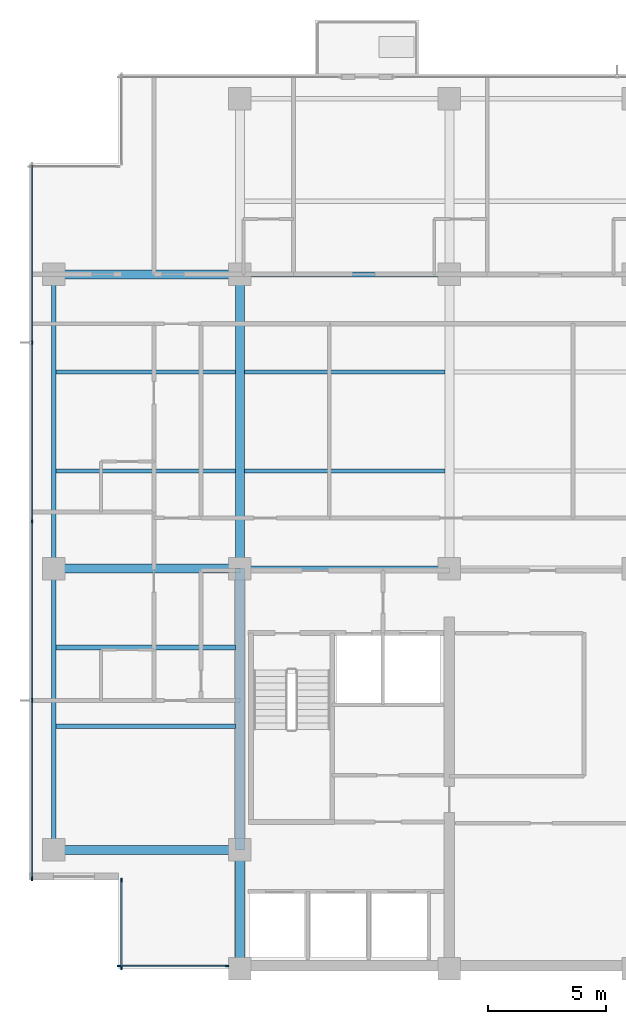
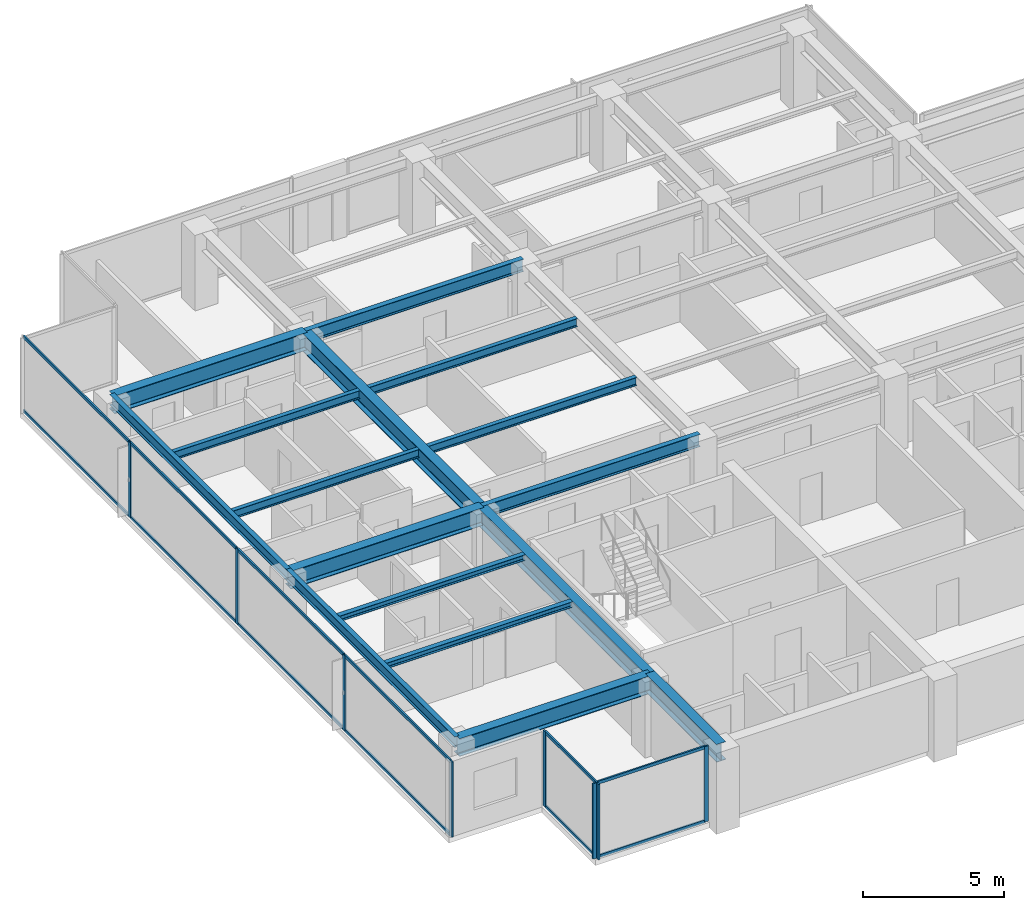
# One storey, part 2 of 14: 20 members, 16 beams, 3 elements without a shape of their own.
"""IFC4 building model written with IfcOpenShell, lengths in metres."""

from ifc_helpers import new_model, si_unit, direction, frame, origin, origin_2d, place, context, subcontext, project, spatial, rectangle, i_section, extrude, material, layer, layer_set, material_profile, profile_set, type_object, element, aggregate, save


model = new_model("IFC4")

# Units and contexts
model_context = context("Model", 3, precision=1e-05, world=origin(), true_north=direction((0.0, 1.0)))
body_context = subcontext(model_context, "Body", "Model", "MODEL_VIEW")
ifc_project = project(units=[si_unit("LENGTHUNIT", "METRE"), si_unit("AREAUNIT", "SQUARE_METRE"), si_unit("VOLUMEUNIT", "CUBIC_METRE"), si_unit("PLANEANGLEUNIT", "RADIAN"), si_unit("MASSUNIT", "GRAM", prefix="KILO")], contexts=[model_context])

# Site, building, storey
site_placement = place(None, origin())
site = spatial("IfcSite", under=ifc_project, at=site_placement, CompositionType="ELEMENT")
building_placement = place(site_placement, origin())
building = spatial("IfcBuilding", under=site, at=building_placement, Name="Qalmaran Belvedere Hotel", CompositionType="ELEMENT")
storey_placement = place(building_placement, frame((0.0, 0.0, 207.39990234375)))
storey = spatial("IfcBuildingStorey", under=building, at=storey_placement, Name="L52", CompositionType="ELEMENT", Elevation=207.39990234375)

# Beams
ifc_material_1 = material(Name="Steel S355JR", Category="steel")
ifc_material_profile_1 = material_profile(ifc_material_1, i_section(OverallWidth=0.201904296875, OverallDepth=0.2470703125, WebThickness=0.00732421875, FlangeThickness=0.010986328125, FilletRadius=0.011962890625, at=origin_2d()), Name="W250X49")
ifc_profile_set_1 = profile_set([ifc_material_profile_1], Name="Steel S355JR")
beam_type_1 = type_object("IfcBeamType", Name="BM-JST-W250X49", PredefinedType="JOIST", material=ifc_profile_set_1)
for number, where, z_axis, x_axis, name in (
    (1, (12.493896484375, 13.800048828125, 3.13671875), (1.0, 0.0, 0.0), (0.0, 1.0, 0.0), "L52 West Wing Joist 038"),
    (2, (12.493896484375, 17.14990234375, 3.13671875), (1.0, 0.0, 0.0), (0.0, 1.0, 0.0), "L52 West Wing Joist 040"),
):
    element("IfcBeam", number, at=place(storey_placement, frame(where, z_axis=z_axis, x_axis=x_axis)), inside=storey, type_object=beam_type_1, Name=name, PredefinedType="JOIST", context=body_context, shape_type="SweptSolid", body=[
        extrude(i_section(OverallWidth=0.201904296875, OverallDepth=0.2470703125, WebThickness=0.00732421875, FlangeThickness=0.010986328125, FilletRadius=0.011962890625, at=origin_2d()), origin(), (0.0, 0.0, 1.0), 7.61767578125),
    ])
ifc_material_profile_2 = material_profile(ifc_material_1, i_section(OverallWidth=0.381103515625, OverallDepth=0.77294921875, WebThickness=0.0166015625, FlangeThickness=0.027099609375, FilletRadius=0.02197265625, at=origin_2d()), Name="W760X257")
ifc_profile_set_2 = profile_set([ifc_material_profile_2], Name="Steel S355JR")
beam_type_2 = type_object("IfcBeamType", Name="BM-PG4-W760X257", PredefinedType="USERDEFINED", material=ifc_profile_set_2)
beam_1_placement = place(storey_placement, frame((20.300048828125, 20.5, 2.87353515625), z_axis=(0.0, 1.0, 0.0), x_axis=(-1.0, 0.0, 0.0)))
element("IfcBeam", 3, at=beam_1_placement, inside=storey, type_object=beam_type_2, Name="L52 Mid-Plate N-S Girder 14", ObjectType="GIRDER", PredefinedType="USERDEFINED", context=body_context, shape_type="SweptSolid", body=[
    extrude(i_section(OverallWidth=0.381103515625, OverallDepth=0.77294921875, WebThickness=0.0166015625, FlangeThickness=0.027099609375, FilletRadius=0.02197265625, at=origin_2d()), origin(), (0.0, 0.0, 1.0), 12.5),
])
for number, where, z_axis, x_axis, name in (
    (4, (12.39990234375, 8.550048828125, 2.87353515625), (1.0, 0.0, 0.0), (0.0, 1.0, 0.0), "L52 West Wing Girder 22"),
    (5, (12.39990234375, 20.5, 2.87353515625), (1.0, 0.0, 0.0), (0.0, 1.0, 0.0), "L52 West Wing Girder 23"),
    (6, (12.39990234375, 33.0, 2.87353515625), (1.0, 0.0, 0.0), (0.0, 1.0, 0.0), "L52 West Wing Girder 24"),
):
    element("IfcBeam", number, at=place(storey_placement, frame(where, z_axis=z_axis, x_axis=x_axis)), inside=storey, type_object=beam_type_2, Name=name, ObjectType="GIRDER", PredefinedType="USERDEFINED", context=body_context, shape_type="SweptSolid", body=[
        extrude(i_section(OverallWidth=0.381103515625, OverallDepth=0.77294921875, WebThickness=0.0166015625, FlangeThickness=0.027099609375, FilletRadius=0.02197265625, at=origin_2d()), origin(), (0.0, 0.0, 1.0), 7.900146484375),
    ])
beam_2_placement = place(storey_placement, frame((20.300048828125, 3.5, 2.87353515625), z_axis=(0.0, 1.0, 0.0), x_axis=(-1.0, 0.0, 0.0)))
element("IfcBeam", 7, at=beam_2_placement, inside=storey, type_object=beam_type_2, Name="L52 West Core Edge Girder A", ObjectType="GIRDER", PredefinedType="USERDEFINED", context=body_context, shape_type="SweptSolid", body=[
    extrude(i_section(OverallWidth=0.381103515625, OverallDepth=0.77294921875, WebThickness=0.0166015625, FlangeThickness=0.027099609375, FilletRadius=0.02197265625, at=origin_2d()), origin(), (0.0, 0.0, 1.0), 5.050048828125),
])
beam_3_placement = place(storey_placement, frame((20.300048828125, 8.550048828125, 2.87353515625), z_axis=(0.0, 1.0, 0.0), x_axis=(-1.0, 0.0, 0.0)))
element("IfcBeam", 8, at=beam_3_placement, inside=storey, type_object=beam_type_2, Name="L52 West Core Edge Girder B", ObjectType="GIRDER", PredefinedType="USERDEFINED", context=body_context, shape_type="SweptSolid", body=[
    extrude(i_section(OverallWidth=0.381103515625, OverallDepth=0.77294921875, WebThickness=0.0166015625, FlangeThickness=0.027099609375, FilletRadius=0.02197265625, at=origin_2d()), origin(), (0.0, 0.0, 1.0), 11.949951171875),
])
ifc_material_profile_3 = material_profile(ifc_material_1, i_section(OverallWidth=0.172119140625, OverallDepth=0.35791015625, WebThickness=0.0078125, FlangeThickness=0.01318359375, FilletRadius=0.014892578125, at=origin_2d()), Name="W360X57")
ifc_profile_set_3 = profile_set([ifc_material_profile_3], Name="Steel S355JR")
beam_type_3 = type_object("IfcBeamType", Name="BM-SB4-W360X57", PredefinedType="BEAM", material=ifc_profile_set_3)
beam_4_placement = place(storey_placement, frame((12.493896484375, 24.64990234375, 3.0810546875), z_axis=(1.0, 0.0, 0.0), x_axis=(0.0, 1.0, 0.0)))
element("IfcBeam", 9, at=beam_4_placement, inside=storey, type_object=beam_type_3, Name="L52 West Secondary Beam 028", PredefinedType="BEAM", context=body_context, shape_type="SweptSolid", body=[
    extrude(i_section(OverallWidth=0.172119140625, OverallDepth=0.35791015625, WebThickness=0.0078125, FlangeThickness=0.01318359375, FilletRadius=0.014892578125, at=origin_2d()), origin(), (0.0, 0.0, 1.0), 7.61767578125),
])
beam_5_placement = place(storey_placement, frame((20.488525390625, 24.64990234375, 3.0810546875), z_axis=(1.0, 0.0, 0.0), x_axis=(0.0, 1.0, 0.0)))
element("IfcBeam", 10, at=beam_5_placement, inside=storey, type_object=beam_type_3, Name="L52 Secondary Floor Beam 029", PredefinedType="BEAM", context=body_context, shape_type="SweptSolid", body=[
    extrude(i_section(OverallWidth=0.172119140625, OverallDepth=0.35791015625, WebThickness=0.0078125, FlangeThickness=0.01318359375, FilletRadius=0.014892578125, at=origin_2d()), origin(), (0.0, 0.0, 1.0), 8.52294921875),
])
beam_6_placement = place(storey_placement, frame((12.493896484375, 28.85009765625, 3.0810546875), z_axis=(1.0, 0.0, 0.0), x_axis=(0.0, 1.0, 0.0)))
element("IfcBeam", 11, at=beam_6_placement, inside=storey, type_object=beam_type_3, Name="L52 West Secondary Beam 033", PredefinedType="BEAM", context=body_context, shape_type="SweptSolid", body=[
    extrude(i_section(OverallWidth=0.172119140625, OverallDepth=0.35791015625, WebThickness=0.0078125, FlangeThickness=0.01318359375, FilletRadius=0.014892578125, at=origin_2d()), origin(), (0.0, 0.0, 1.0), 7.61767578125),
])
beam_7_placement = place(storey_placement, frame((20.488525390625, 28.85009765625, 3.0810546875), z_axis=(1.0, 0.0, 0.0), x_axis=(0.0, 1.0, 0.0)))
element("IfcBeam", 12, at=beam_7_placement, inside=storey, type_object=beam_type_3, Name="L52 Secondary Floor Beam 034", PredefinedType="BEAM", context=body_context, shape_type="SweptSolid", body=[
    extrude(i_section(OverallWidth=0.172119140625, OverallDepth=0.35791015625, WebThickness=0.0078125, FlangeThickness=0.01318359375, FilletRadius=0.014892578125, at=origin_2d()), origin(), (0.0, 0.0, 1.0), 8.52294921875),
])
ifc_material_profile_4 = material_profile(ifc_material_1, i_section(OverallWidth=0.19189453125, OverallDepth=0.462890625, WebThickness=0.010498046875, FlangeThickness=0.017578125, FilletRadius=0.01611328125, at=origin_2d()), Name="W460X89")
ifc_profile_set_4 = profile_set([ifc_material_profile_4], Name="Steel S355JR")
beam_type_4 = type_object("IfcBeamType", Name="BM-SP2-W460X89", PredefinedType="SPANDREL", material=ifc_profile_set_4)
beam_8_placement = place(storey_placement, frame((12.39990234375, 8.550048828125, 3.028564453125), z_axis=(0.0, 1.0, 0.0), x_axis=(-1.0, 0.0, 0.0)))
element("IfcBeam", 13, at=beam_8_placement, inside=storey, type_object=beam_type_4, Name="L52 Perimeter Spandrel 01", PredefinedType="SPANDREL", context=body_context, shape_type="SweptSolid", body=[
    extrude(i_section(OverallWidth=0.19189453125, OverallDepth=0.462890625, WebThickness=0.010498046875, FlangeThickness=0.017578125, FilletRadius=0.01611328125, at=origin_2d()), origin(), (0.0, 0.0, 1.0), 11.949951171875),
])
beam_9_placement = place(storey_placement, frame((12.39990234375, 20.5, 3.028564453125), z_axis=(0.0, 1.0, 0.0), x_axis=(-1.0, 0.0, 0.0)))
element("IfcBeam", 14, at=beam_9_placement, inside=storey, type_object=beam_type_4, Name="L52 Perimeter Spandrel 02", PredefinedType="SPANDREL", context=body_context, shape_type="SweptSolid", body=[
    extrude(i_section(OverallWidth=0.19189453125, OverallDepth=0.462890625, WebThickness=0.010498046875, FlangeThickness=0.017578125, FilletRadius=0.01611328125, at=origin_2d()), origin(), (0.0, 0.0, 1.0), 12.5),
])
ifc_material_profile_5 = material_profile(ifc_material_1, i_section(OverallWidth=0.2109375, OverallDepth=0.5390625, WebThickness=0.01171875, FlangeThickness=0.018798828125, FilletRadius=0.01806640625, at=origin_2d()), Name="W530X109")
ifc_profile_set_5 = profile_set([ifc_material_profile_5], Name="Steel S355JR")
beam_type_5 = type_object("IfcBeamType", Name="BM-Z4-W530X109", PredefinedType="USERDEFINED", material=ifc_profile_set_5)
for number, where, z_axis, x_axis, name in (
    (15, (20.300048828125, 20.5, 2.990478515625), (1.0, 0.0, 0.0), (0.0, 1.0, 0.0), "L52 Interior E-W Girder 08"),
    (16, (20.300048828125, 33.0, 2.990478515625), (1.0, 0.0, 0.0), (0.0, 1.0, 0.0), "L52 Interior E-W Girder 11"),
):
    element("IfcBeam", number, at=place(storey_placement, frame(where, z_axis=z_axis, x_axis=x_axis)), inside=storey, type_object=beam_type_5, Name=name, ObjectType="GIRDER", PredefinedType="USERDEFINED", context=body_context, shape_type="SweptSolid", body=[
        extrude(i_section(OverallWidth=0.2109375, OverallDepth=0.5390625, WebThickness=0.01171875, FlangeThickness=0.018798828125, FilletRadius=0.01806640625, at=origin_2d()), origin(), (0.0, 0.0, 1.0), 8.89990234375),
    ])

# Curtain wall, members
ifc_material_2 = material(Name="Anodised Bronze Aluminium", Category="aluminium")
ifc_layer = layer(ifc_material_2, 0.18994140625, Name="Anodised Bronze Aluminium")
ifc_layer_set = layer_set([ifc_layer], Name="Anodised Bronze Aluminium")
curtain_wall_type = type_object("IfcCurtainWallType", Name="CW5-TOWER-UPPER", PredefinedType="NOTDEFINED", material=ifc_layer_set)
curtain_wall_1_placement = place(storey_placement, origin())
curtain_wall_1 = element("IfcCurtainWall", 17, at=curtain_wall_1_placement, inside=storey, type_object=curtain_wall_type, Name="L52 Curtain Wall CW5", PredefinedType="NOTDEFINED")
ifc_material_profile_6 = material_profile(ifc_material_2, rectangle(XDim=0.06494140625, YDim=0.1650390625, at=origin_2d()), Name="CWM65X165")
ifc_profile_set_6 = profile_set([ifc_material_profile_6], Name="Anodised Bronze Aluminium")
member_type_1 = type_object("IfcMemberType", Name="CWM-65X165", PredefinedType="MULLION", material=ifc_profile_set_6)
member_1_placement = place(storey_placement, frame((15.1826171875, 3.6201171875, 0.0), z_axis=(0.0, 0.0, 1.0), x_axis=(0.0, 1.0, 0.0)))
member_1 = element("IfcMember", 18, at=member_1_placement, type_object=member_type_1, Name="CW5 mullion 1", PredefinedType="MULLION", context=body_context, shape_type="SweptSolid", body=[
    extrude(rectangle(XDim=0.06494140625, YDim=0.1650390625, at=origin_2d()), origin(), (0.0, 0.0, 1.0), 3.260009765625),
])
member_2_placement = place(storey_placement, frame((19.75244140625, 3.6201171875, 0.0), z_axis=(0.0, 0.0, 1.0), x_axis=(0.0, 1.0, 0.0)))
member_2 = element("IfcMember", 19, at=member_2_placement, type_object=member_type_1, Name="CW5 mullion 2", PredefinedType="MULLION", context=body_context, shape_type="SweptSolid", body=[
    extrude(rectangle(XDim=0.06494140625, YDim=0.1650390625, at=origin_2d()), origin(), (0.0, 0.0, 1.0), 3.260009765625),
])

curtain_wall_2_placement = place(storey_placement, origin())
curtain_wall_2 = element("IfcCurtainWall", 20, at=curtain_wall_2_placement, inside=storey, type_object=curtain_wall_type, Name="L52 Curtain Wall CW5", PredefinedType="NOTDEFINED")
member_3_placement = place(storey_placement, frame((11.469970703125, 30.10009765625, 0.0), z_axis=(0.0, 0.0, 1.0), x_axis=(1.0, 0.0, 0.0)))
member_3 = element("IfcMember", 21, at=member_3_placement, type_object=member_type_1, Name="CW5 mullion 2", PredefinedType="MULLION", context=body_context, shape_type="SweptSolid", body=[
    extrude(rectangle(XDim=0.06494140625, YDim=0.1650390625, at=origin_2d()), origin(), (0.0, 0.0, 1.0), 3.260009765625),
])
member_4_placement = place(storey_placement, frame((11.469970703125, 22.5, 0.0), z_axis=(0.0, 0.0, 1.0), x_axis=(1.0, 0.0, 0.0)))
member_4 = element("IfcMember", 22, at=member_4_placement, type_object=member_type_1, Name="CW5 mullion 3", PredefinedType="MULLION", context=body_context, shape_type="SweptSolid", body=[
    extrude(rectangle(XDim=0.06494140625, YDim=0.1650390625, at=origin_2d()), origin(), (0.0, 0.0, 1.0), 3.260009765625),
])
member_5_placement = place(storey_placement, frame((11.469970703125, 14.89990234375, 0.0), z_axis=(0.0, 0.0, 1.0), x_axis=(1.0, 0.0, 0.0)))
member_5 = element("IfcMember", 23, at=member_5_placement, type_object=member_type_1, Name="CW5 mullion 4", PredefinedType="MULLION", context=body_context, shape_type="SweptSolid", body=[
    extrude(rectangle(XDim=0.06494140625, YDim=0.1650390625, at=origin_2d()), origin(), (0.0, 0.0, 1.0), 3.260009765625),
])
member_6_placement = place(storey_placement, frame((11.469970703125, 7.33251953125, 0.0), z_axis=(0.0, 0.0, 1.0), x_axis=(1.0, 0.0, 0.0)))
member_6 = element("IfcMember", 24, at=member_6_placement, type_object=member_type_1, Name="CW5 mullion 5", PredefinedType="MULLION", context=body_context, shape_type="SweptSolid", body=[
    extrude(rectangle(XDim=0.06494140625, YDim=0.1650390625, at=origin_2d()), origin(), (0.0, 0.0, 1.0), 3.260009765625),
])

curtain_wall_3_placement = place(storey_placement, origin())
curtain_wall_3 = element("IfcCurtainWall", 25, at=curtain_wall_3_placement, inside=storey, type_object=curtain_wall_type, Name="L52 Curtain Wall CW5", PredefinedType="NOTDEFINED")
member_7_placement = place(storey_placement, frame((15.27001953125, 7.267578125, 0.0), z_axis=(0.0, 0.0, 1.0), x_axis=(1.0, 0.0, 0.0)))
member_7 = element("IfcMember", 26, at=member_7_placement, type_object=member_type_1, Name="CW5 mullion 1", PredefinedType="MULLION", context=body_context, shape_type="SweptSolid", body=[
    extrude(rectangle(XDim=0.06494140625, YDim=0.1650390625, at=origin_2d()), origin(), (0.0, 0.0, 1.0), 3.260009765625),
])
member_8_placement = place(storey_placement, frame((15.27001953125, 3.532470703125, 0.0), z_axis=(0.0, 0.0, 1.0), x_axis=(1.0, 0.0, 0.0)))
member_8 = element("IfcMember", 27, at=member_8_placement, type_object=member_type_1, Name="CW5 mullion 2", PredefinedType="MULLION", context=body_context, shape_type="SweptSolid", body=[
    extrude(rectangle(XDim=0.06494140625, YDim=0.1650390625, at=origin_2d()), origin(), (0.0, 0.0, 1.0), 3.260009765625),
])

# Member
ifc_material_profile_7 = material_profile(ifc_material_2, rectangle(XDim=0.06494140625, YDim=0.1298828125, at=origin_2d()), Name="CWT65X130")
ifc_profile_set_7 = profile_set([ifc_material_profile_7], Name="Anodised Bronze Aluminium")
member_type_2 = type_object("IfcMemberType", Name="CWT-65X130", PredefinedType="USERDEFINED", material=ifc_profile_set_7)
member_9_placement = place(storey_placement, frame((15.215087890625, 3.6201171875, 0.03271484375), z_axis=(1.0, 0.0, 0.0), x_axis=(0.0, 1.0, 0.0)))
member_9 = element("IfcMember", 28, at=member_9_placement, type_object=member_type_2, Name="CW5 transom 1.1", ObjectType="TRANSOM", PredefinedType="USERDEFINED", context=body_context, shape_type="SweptSolid", body=[
    extrude(rectangle(XDim=0.06494140625, YDim=0.1298828125, at=origin_2d()), origin(), (0.0, 0.0, 1.0), 4.5048828125),
])

member_10_placement = place(storey_placement, frame((15.215087890625, 3.6201171875, 3.2275390625), z_axis=(1.0, 0.0, 0.0), x_axis=(0.0, 1.0, 0.0)))
member_10 = element("IfcMember", 29, at=member_10_placement, type_object=member_type_2, Name="CW5 transom 1.2", ObjectType="TRANSOM", PredefinedType="USERDEFINED", context=body_context, shape_type="SweptSolid", body=[
    extrude(rectangle(XDim=0.06494140625, YDim=0.1298828125, at=origin_2d()), origin(), (0.0, 0.0, 1.0), 4.5048828125),
])

aggregate(curtain_wall_1, [member_1, member_2, member_9, member_10])

member_11_placement = place(storey_placement, frame((11.469970703125, 37.635009765625, 0.03271484375), z_axis=(0.0, -1.0, 0.0), x_axis=(1.0, 0.0, 0.0)))
member_11 = element("IfcMember", 30, at=member_11_placement, type_object=member_type_2, Name="CW5 transom 1.1", ObjectType="TRANSOM", PredefinedType="USERDEFINED", context=body_context, shape_type="SweptSolid", body=[
    extrude(rectangle(XDim=0.06494140625, YDim=0.1298828125, at=origin_2d()), origin(), (0.0, 0.0, 1.0), 7.50244140625),
])

member_12_placement = place(storey_placement, frame((11.469970703125, 37.635009765625, 3.2275390625), z_axis=(0.0, -1.0, 0.0), x_axis=(1.0, 0.0, 0.0)))
member_12 = element("IfcMember", 31, at=member_12_placement, type_object=member_type_2, Name="CW5 transom 1.2", ObjectType="TRANSOM", PredefinedType="USERDEFINED", context=body_context, shape_type="SweptSolid", body=[
    extrude(rectangle(XDim=0.06494140625, YDim=0.1298828125, at=origin_2d()), origin(), (0.0, 0.0, 1.0), 7.50244140625),
])

member_13_placement = place(storey_placement, frame((11.469970703125, 30.0673828125, 0.03271484375), z_axis=(0.0, -1.0, 0.0), x_axis=(1.0, 0.0, 0.0)))
member_13 = element("IfcMember", 32, at=member_13_placement, type_object=member_type_2, Name="CW5 transom 2.1", ObjectType="TRANSOM", PredefinedType="USERDEFINED", context=body_context, shape_type="SweptSolid", body=[
    extrude(rectangle(XDim=0.06494140625, YDim=0.1298828125, at=origin_2d()), origin(), (0.0, 0.0, 1.0), 7.534912109375),
])

member_14_placement = place(storey_placement, frame((11.469970703125, 30.0673828125, 3.2275390625), z_axis=(0.0, -1.0, 0.0), x_axis=(1.0, 0.0, 0.0)))
member_14 = element("IfcMember", 33, at=member_14_placement, type_object=member_type_2, Name="CW5 transom 2.2", ObjectType="TRANSOM", PredefinedType="USERDEFINED", context=body_context, shape_type="SweptSolid", body=[
    extrude(rectangle(XDim=0.06494140625, YDim=0.1298828125, at=origin_2d()), origin(), (0.0, 0.0, 1.0), 7.534912109375),
])

member_15_placement = place(storey_placement, frame((11.469970703125, 22.467529296875, 0.03271484375), z_axis=(0.0, -1.0, 0.0), x_axis=(1.0, 0.0, 0.0)))
member_15 = element("IfcMember", 34, at=member_15_placement, type_object=member_type_2, Name="CW5 transom 3.1", ObjectType="TRANSOM", PredefinedType="USERDEFINED", context=body_context, shape_type="SweptSolid", body=[
    extrude(rectangle(XDim=0.06494140625, YDim=0.1298828125, at=origin_2d()), origin(), (0.0, 0.0, 1.0), 7.534912109375),
])

member_16_placement = place(storey_placement, frame((11.469970703125, 22.467529296875, 3.2275390625), z_axis=(0.0, -1.0, 0.0), x_axis=(1.0, 0.0, 0.0)))
member_16 = element("IfcMember", 35, at=member_16_placement, type_object=member_type_2, Name="CW5 transom 3.2", ObjectType="TRANSOM", PredefinedType="USERDEFINED", context=body_context, shape_type="SweptSolid", body=[
    extrude(rectangle(XDim=0.06494140625, YDim=0.1298828125, at=origin_2d()), origin(), (0.0, 0.0, 1.0), 7.534912109375),
])

member_17_placement = place(storey_placement, frame((11.469970703125, 14.867431640625, 0.03271484375), z_axis=(0.0, -1.0, 0.0), x_axis=(1.0, 0.0, 0.0)))
member_17 = element("IfcMember", 36, at=member_17_placement, type_object=member_type_2, Name="CW5 transom 4.1", ObjectType="TRANSOM", PredefinedType="USERDEFINED", context=body_context, shape_type="SweptSolid", body=[
    extrude(rectangle(XDim=0.06494140625, YDim=0.1298828125, at=origin_2d()), origin(), (0.0, 0.0, 1.0), 7.50244140625),
])

member_18_placement = place(storey_placement, frame((11.469970703125, 14.867431640625, 3.2275390625), z_axis=(0.0, -1.0, 0.0), x_axis=(1.0, 0.0, 0.0)))
member_18 = element("IfcMember", 37, at=member_18_placement, type_object=member_type_2, Name="CW5 transom 4.2", ObjectType="TRANSOM", PredefinedType="USERDEFINED", context=body_context, shape_type="SweptSolid", body=[
    extrude(rectangle(XDim=0.06494140625, YDim=0.1298828125, at=origin_2d()), origin(), (0.0, 0.0, 1.0), 7.50244140625),
])

aggregate(curtain_wall_2, [member_3, member_4, member_5, member_6, member_11, member_12, member_13, member_14, member_15, member_16, member_17, member_18])

member_19_placement = place(storey_placement, frame((15.27001953125, 7.235107421875, 0.03271484375), z_axis=(0.0, -1.0, 0.0), x_axis=(1.0, 0.0, 0.0)))
member_19 = element("IfcMember", 38, at=member_19_placement, type_object=member_type_2, Name="CW5 transom 1.1", ObjectType="TRANSOM", PredefinedType="USERDEFINED", context=body_context, shape_type="SweptSolid", body=[
    extrude(rectangle(XDim=0.06494140625, YDim=0.1298828125, at=origin_2d()), origin(), (0.0, 0.0, 1.0), 3.670166015625),
])

member_20_placement = place(storey_placement, frame((15.27001953125, 7.235107421875, 3.2275390625), z_axis=(0.0, -1.0, 0.0), x_axis=(1.0, 0.0, 0.0)))
member_20 = element("IfcMember", 39, at=member_20_placement, type_object=member_type_2, Name="CW5 transom 1.2", ObjectType="TRANSOM", PredefinedType="USERDEFINED", context=body_context, shape_type="SweptSolid", body=[
    extrude(rectangle(XDim=0.06494140625, YDim=0.1298828125, at=origin_2d()), origin(), (0.0, 0.0, 1.0), 3.670166015625),
])

aggregate(curtain_wall_3, [member_7, member_8, member_19, member_20])

save(model, "model.ifc")
